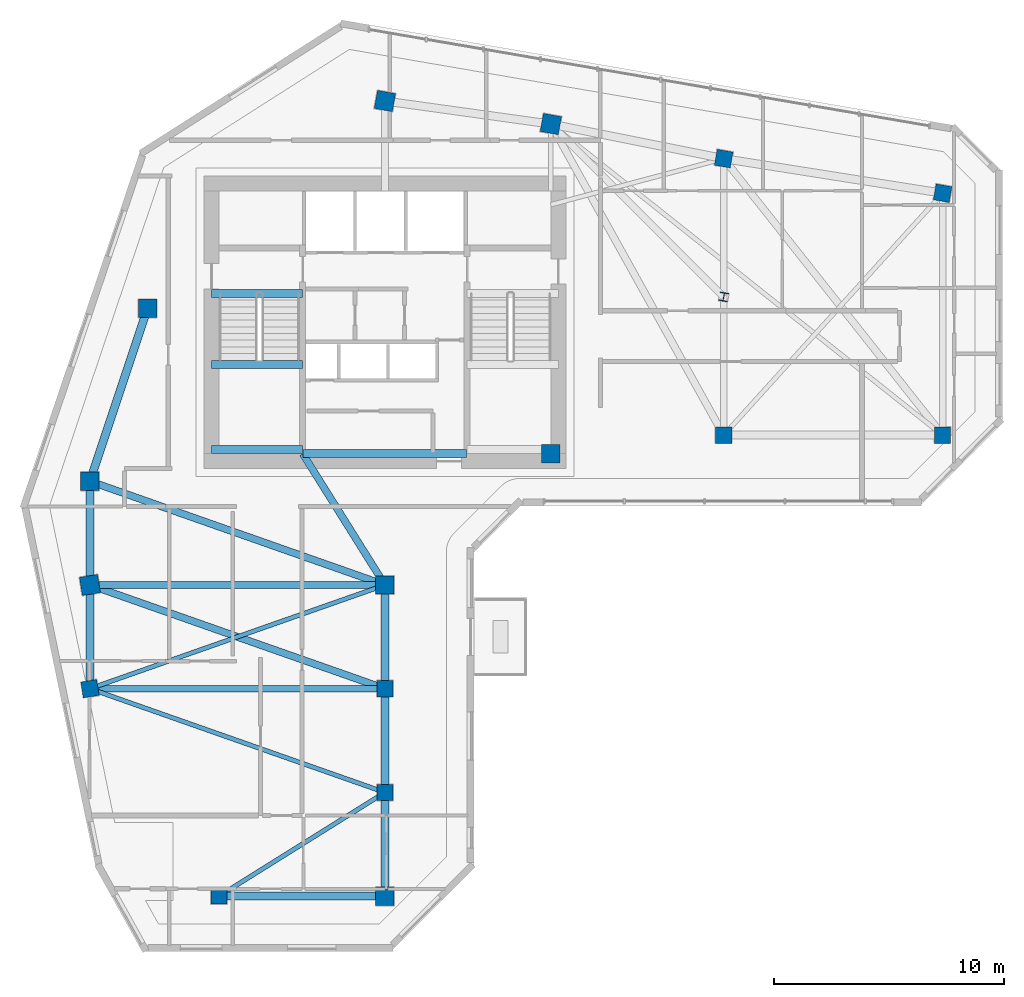
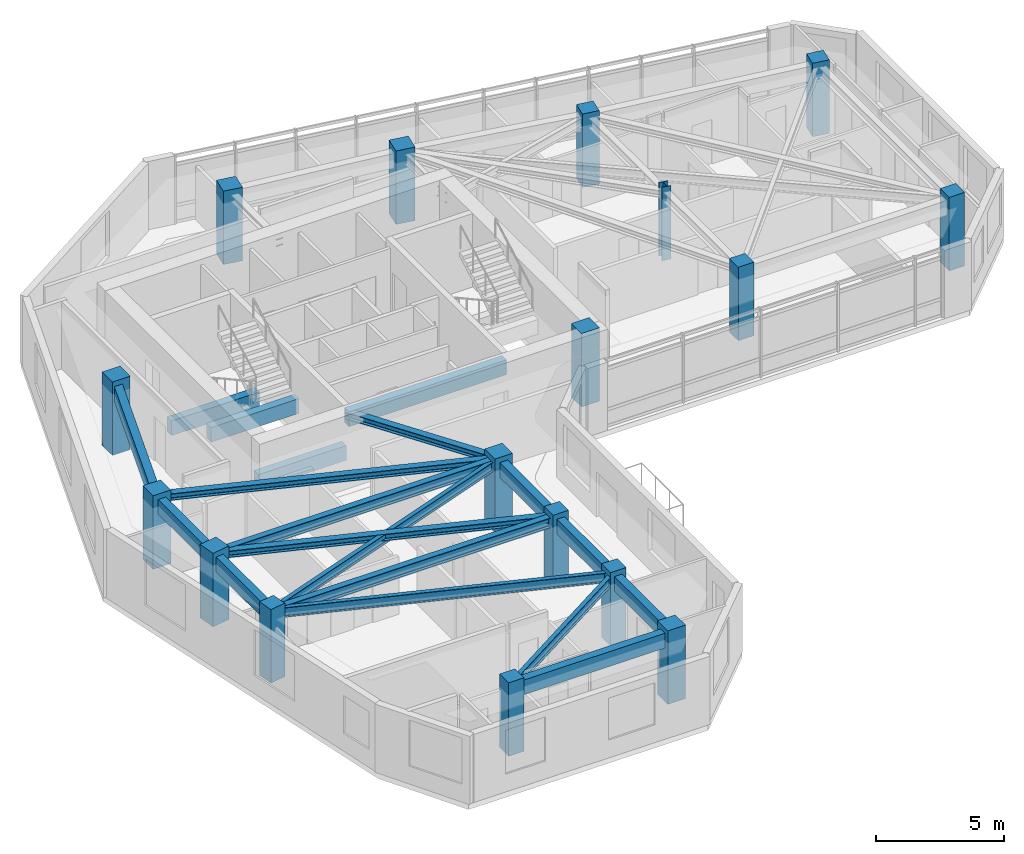
# One storey, part 1 of 10: 19 beams, 17 columns.
"""IFC4 building model written with IfcOpenShell, lengths in metres."""

from ifc_helpers import new_model, si_unit, direction, frame, origin, origin_2d, place, context, subcontext, project, spatial, rectangle, i_section, extrude, source, transform, mapped, material, material_profile, profile_set, type_object, element, save


model = new_model("IFC4")

# Units and contexts
model_context = context("Model", 3, precision=1e-05, world=origin(), true_north=direction((0.0, 1.0)))
body_context = subcontext(model_context, "Body", "Model", "MODEL_VIEW")
ifc_project = project(units=[si_unit("LENGTHUNIT", "METRE"), si_unit("AREAUNIT", "SQUARE_METRE"), si_unit("VOLUMEUNIT", "CUBIC_METRE"), si_unit("PLANEANGLEUNIT", "RADIAN"), si_unit("MASSUNIT", "GRAM", prefix="KILO")], contexts=[model_context])

# Site, building, storey
site_placement = place(None, origin())
site = spatial("IfcSite", under=ifc_project, at=site_placement, CompositionType="ELEMENT")
building_placement = place(site_placement, origin())
building = spatial("IfcBuilding", under=site, at=building_placement, Name="Calvemar Wedge Station Tower", CompositionType="ELEMENT")
storey_placement = place(building_placement, frame((0.0, 0.0, 197.39990234375)))
storey = spatial("IfcBuildingStorey", under=building, at=storey_placement, Name="L49", CompositionType="ELEMENT", Elevation=197.39990234375)

# Columns
ifc_material_1 = material(Name="Concrete C50", Category="concrete")
ifc_material_profile_1 = material_profile(ifc_material_1, rectangle(XDim=0.800048828125, YDim=0.800048828125, at=origin_2d()), Name="RC800x800")
ifc_profile_set_1 = profile_set([ifc_material_profile_1], Name="Concrete C50")
column_type_1 = type_object("IfcColumnType", Name="COL-C6-800", PredefinedType="COLUMN", material=ifc_profile_set_1)
shared_shape_1 = source(origin(), body_context, "Body", "SweptSolid", [
    extrude(rectangle(XDim=0.800048828125, YDim=0.800048828125, at=origin_2d()), origin(), (0.0, 0.0, 1.0), 3.5),
])
for number, where, z_axis, x_axis, name in (
    (1, (11.0, 33.0, 0.0), (0.0, 0.0, 1.0), (1.0, 0.0, 0.0), "Storey L49 Column T-NW1"),
    (2, (13.5, 40.5, 0.0), (0.0, 0.0, 1.0), (1.0, 0.0, 0.0), "Storey L49 Column T-NW2"),
    (3, (23.800048828125, 49.5, 0.0), (0.0, 0.0, 1.0), (0.984195607969, -0.17708474032, 0.0), "Storey L49 Column T-N1"),
    (4, (31.0, 48.5, 0.0), (0.0, 0.0, 1.0), (0.984195607969, -0.17708474032, 0.0), "Storey L49 Column T-N2"),
    (5, (31.0, 34.199951171875, 0.0), (0.0, 0.0, 1.0), (1.0, 0.0, 0.0), "Storey L49 Column T-NL1"),
    (6, (11.0, 28.5, 0.0), (0.0, 0.0, 1.0), (0.158158067254, -0.987413806751, 0.0), "Storey L49 Column T-SW1"),
    (7, (23.800048828125, 28.5, 0.0), (0.0, 0.0, 1.0), (1.0, 0.0, 0.0), "Storey L49 Column T-SE1"),
    (8, (23.800048828125, 15.0, 0.0), (0.0, 0.0, 1.0), (1.0, 0.0, 0.0), "Storey L49 Column T-SE4"),
):
    element("IfcColumn", number, at=place(storey_placement, frame(where, z_axis=z_axis, x_axis=x_axis)), inside=storey, type_object=column_type_1, Name=name, PredefinedType="COLUMN", context=body_context, shape_type="MappedRepresentation", body=[
        mapped(shared_shape_1, transform((0.0, 0.0, 0.0), scale=1.0)),
    ])
ifc_material_profile_2 = material_profile(ifc_material_1, rectangle(XDim=0.699951171875, YDim=0.699951171875, at=origin_2d()), Name="RC700x700")
ifc_profile_set_2 = profile_set([ifc_material_profile_2], Name="Concrete C50")
column_type_2 = type_object("IfcColumnType", Name="COL-C7-700", PredefinedType="COLUMN", material=ifc_profile_set_2)
shared_shape_2 = source(origin(), body_context, "Body", "SweptSolid", [
    extrude(rectangle(XDim=0.699951171875, YDim=0.699951171875, at=origin_2d()), origin(), (0.0, 0.0, 1.0), 3.5),
])
for number, where, z_axis, x_axis, name in (
    (9, (38.5, 47.0, 0.0), (0.0, 0.0, 1.0), (0.984195607969, -0.17708474032, 0.0), "Storey L49 Column T-NU3"),
    (10, (48.0, 45.5, 0.0), (0.0, 0.0, 1.0), (0.984195607969, -0.17708474032, 0.0), "Storey L49 Column T-NU4"),
    (11, (38.5, 35.0, 0.0), (0.0, 0.0, 1.0), (1.0, 0.0, 0.0), "Storey L49 Column T-NL2"),
    (12, (48.0, 35.0, 0.0), (0.0, 0.0, 1.0), (1.0, 0.0, 0.0), "Storey L49 Column T-NL3"),
    (13, (11.0, 24.0, 0.0), (0.0, 0.0, 1.0), (0.158158067254, -0.987413806751, 0.0), "Storey L49 Column T-SW2"),
    (14, (23.800048828125, 24.0, 0.0), (0.0, 0.0, 1.0), (1.0, 0.0, 0.0), "Storey L49 Column T-SE2"),
    (15, (23.800048828125, 19.5, 0.0), (0.0, 0.0, 1.0), (1.0, 0.0, 0.0), "Storey L49 Column T-SE3"),
    (16, (16.60009765625, 15.0, 0.0), (0.0, 0.0, 1.0), (1.0, 0.0, 0.0), "Storey L49 Column T-SM1"),
):
    element("IfcColumn", number, at=place(storey_placement, frame(where, z_axis=z_axis, x_axis=x_axis)), inside=storey, type_object=column_type_2, Name=name, PredefinedType="COLUMN", context=body_context, shape_type="MappedRepresentation", body=[
        mapped(shared_shape_2, transform((0.0, 0.0, 0.0), scale=1.0)),
    ])
ifc_material_2 = material(Name="Structural steel ASTM A572 Grade 50", Category="steel")
ifc_material_profile_3 = material_profile(ifc_material_2, i_section(OverallWidth=0.3740234375, OverallDepth=0.3720703125, WebThickness=0.016357421875, FlangeThickness=0.026123046875, FilletRadius=0.014892578125, at=origin_2d()), Name="W360x196")
ifc_profile_set_3 = profile_set([ifc_material_profile_3], Name="Structural steel ASTM A572 Grade 50")
column_type_3 = type_object("IfcColumnType", Name="COL-STL-W360", PredefinedType="COLUMN", material=ifc_profile_set_3)
shared_shape_3 = source(origin(), body_context, "Body", "SweptSolid", [
    extrude(i_section(OverallWidth=0.3740234375, OverallDepth=0.3720703125, WebThickness=0.016357421875, FlangeThickness=0.026123046875, FilletRadius=0.014892578125, at=origin_2d()), origin(), (0.0, 0.0, 1.0), 3.5),
])
column_placement = place(storey_placement, frame((38.5, 41.0, 0.0), z_axis=(0.0, 0.0, 1.0), x_axis=(0.984195607969, -0.17708474032, 0.0)))
element("IfcColumn", 17, at=column_placement, inside=storey, type_object=column_type_3, Name="Storey L49 Column T-NTIP-B", PredefinedType="COLUMN", context=body_context, shape_type="MappedRepresentation", body=[
    mapped(shared_shape_3, transform((0.0, 0.0, 0.0), scale=1.0)),
])

# Beams
ifc_material_3 = material(Name="Concrete C70", Category="concrete")
ifc_material_profile_4 = material_profile(ifc_material_3, rectangle(XDim=0.35009765625, YDim=0.699951171875, at=origin_2d()), Name="RC350x700")
ifc_profile_set_4 = profile_set([ifc_material_profile_4], Name="Concrete C70")
beam_type_1 = type_object("IfcBeamType", Name="BM-LN1-700", PredefinedType="LINTEL", material=ifc_profile_set_4)
shared_shape_4 = source(origin(), body_context, "Body", "SweptSolid", [
    extrude(rectangle(XDim=0.35009765625, YDim=0.699951171875, at=origin_2d()), origin(), (0.0, 0.0, 1.0), 7.10009765625),
])
beam_1_placement = place(storey_placement, frame((20.25, 34.199951171875, 2.900146484375), z_axis=(1.0, 0.0, 0.0), x_axis=(0.0, 1.0, 0.0)))
element("IfcBeam", 18, at=beam_1_placement, inside=storey, type_object=beam_type_1, Name="Storey L49 Core Coupling Lintel South", PredefinedType="LINTEL", context=body_context, shape_type="MappedRepresentation", body=[
    mapped(shared_shape_4, transform((0.0, 0.0, 0.0), scale=1.0)),
])
ifc_material_profile_5 = material_profile(ifc_material_2, i_section(OverallWidth=0.30908203125, OverallDepth=0.322998046875, WebThickness=0.013916015625, FlangeThickness=0.02294921875, FilletRadius=0.014892578125, at=origin_2d()), Name="W310x143")
ifc_profile_set_5 = profile_set([ifc_material_profile_5], Name="Structural steel ASTM A572 Grade 50")
beam_type_2 = type_object("IfcBeamType", Name="BM-J5-W310H", PredefinedType="JOIST", material=ifc_profile_set_5)
shared_shape_5 = source(origin(), body_context, "Body", "SweptSolid", [
    extrude(i_section(OverallWidth=0.30908203125, OverallDepth=0.322998046875, WebThickness=0.013916015625, FlangeThickness=0.02294921875, FilletRadius=0.014892578125, at=origin_2d()), origin(), (0.0, 0.0, 1.0), 13.568115234375),
])
for number, where, z_axis, x_axis, name in (
    (19, (11.0, 33.0, 3.088623046875), (0.943398221169, -0.331662171939, 0.0), (0.331662171939, 0.943398221169, 0.0), "Storey L49 Floor Beam T-NW1-T-SE1"),
    (20, (11.0, 28.5, 3.088623046875), (0.943398221169, -0.331662171939, 0.0), (0.331662171939, 0.943398221169, 0.0), "Storey L49 Floor Beam T-SW1-T-SE2"),
):
    element("IfcBeam", number, at=place(storey_placement, frame(where, z_axis=z_axis, x_axis=x_axis)), inside=storey, type_object=beam_type_2, Name=name, PredefinedType="JOIST", context=body_context, shape_type="MappedRepresentation", body=[
        mapped(shared_shape_5, transform((0.0, 0.0, 0.0), scale=1.0)),
    ])
ifc_material_profile_6 = material_profile(ifc_material_2, i_section(OverallWidth=0.19189453125, OverallDepth=0.462890625, WebThickness=0.010498046875, FlangeThickness=0.017578125, FilletRadius=0.012939453125, at=origin_2d()), Name="W460x89")
ifc_profile_set_6 = profile_set([ifc_material_profile_6], Name="Structural steel ASTM A572 Grade 50")
beam_type_3 = type_object("IfcBeamType", Name="BM-J1-W460", PredefinedType="JOIST", material=ifc_profile_set_6)
shared_shape_6 = source(origin(), body_context, "Body", "SweptSolid", [
    extrude(i_section(OverallWidth=0.19189453125, OverallDepth=0.462890625, WebThickness=0.010498046875, FlangeThickness=0.017578125, FilletRadius=0.012939453125, at=origin_2d()), origin(), (0.0, 0.0, 1.0), 13.568115234375),
])
for number, where, z_axis, x_axis, name in (
    (21, (23.800048828125, 28.5, 3.0185546875), (-0.943398221169, -0.331662171939, 0.0), (0.331662171939, -0.943398221169, 0.0), "Storey L49 Floor Beam T-SE1-T-SW2"),
    (22, (11.0, 24.0, 3.0185546875), (0.943398221169, -0.331662171939, 0.0), (0.331662171939, 0.943398221169, 0.0), "Storey L49 Floor Beam T-SW2-T-SE3"),
):
    element("IfcBeam", number, at=place(storey_placement, frame(where, z_axis=z_axis, x_axis=x_axis)), inside=storey, type_object=beam_type_3, Name=name, PredefinedType="JOIST", context=body_context, shape_type="MappedRepresentation", body=[
        mapped(shared_shape_6, transform((0.0, 0.0, 0.0), scale=1.0)),
    ])
shared_shape_7 = source(origin(), body_context, "Body", "SweptSolid", [
    extrude(i_section(OverallWidth=0.19189453125, OverallDepth=0.462890625, WebThickness=0.010498046875, FlangeThickness=0.017578125, FilletRadius=0.012939453125, at=origin_2d()), origin(), (0.0, 0.0, 1.0), 8.490478515625),
])
beam_2_placement = place(storey_placement, frame((23.800048828125, 19.5, 3.0185546875), z_axis=(-0.847996688584, -0.530001524668, 0.0), x_axis=(0.530001524668, -0.847996688584, 0.0)))
element("IfcBeam", 23, at=beam_2_placement, inside=storey, type_object=beam_type_3, Name="Storey L49 Floor Beam T-SE3-T-SM1", PredefinedType="JOIST", context=body_context, shape_type="MappedRepresentation", body=[
    mapped(shared_shape_7, transform((0.0, 0.0, 0.0), scale=1.0)),
])
shared_shape_8 = source(origin(), body_context, "Body", "SweptSolid", [
    extrude(i_section(OverallWidth=0.30908203125, OverallDepth=0.322998046875, WebThickness=0.013916015625, FlangeThickness=0.02294921875, FilletRadius=0.014892578125, at=origin_2d()), origin(), (0.0, 0.0, 1.0), 6.7255859375),
])
beam_3_placement = place(storey_placement, frame((20.22998046875, 34.199951171875, 3.088623046875), z_axis=(0.530811158438, -0.847490126242, 0.0), x_axis=(0.847490126242, 0.530811158438, 0.0)))
element("IfcBeam", 24, at=beam_3_placement, inside=storey, type_object=beam_type_2, Name="Storey L49 Core-to-Column Joist CJ-S2", PredefinedType="JOIST", context=body_context, shape_type="MappedRepresentation", body=[
    mapped(shared_shape_8, transform((0.0, 0.0, 0.0), scale=1.0)),
])
shared_shape_9 = source(origin(), body_context, "Body", "SweptSolid", [
    extrude(rectangle(XDim=0.35009765625, YDim=0.699951171875, at=origin_2d()), origin(), (0.0, 0.0, 1.0), 3.955078125),
])
for number, where, z_axis, x_axis, name in (
    (25, (16.27490234375, 41.14990234375, -0.349853515625), (1.0, 0.0, 0.0), (0.0, 1.0, 0.0), "Storey L49 Stair ST-C1 Landing Trimmer Beam"),
    (26, (16.27490234375, 34.3798828125, 1.2001953125), (1.0, 0.0, 0.0), (0.0, 1.0, 0.0), "Storey L49 Stair ST-C1 Half-Landing Beam 1A"),
    (27, (16.27490234375, 38.070068359375, 1.2001953125), (1.0, 0.0, 0.0), (0.0, 1.0, 0.0), "Storey L49 Stair ST-C1 Half-Landing Beam 1B"),
):
    element("IfcBeam", number, at=place(storey_placement, frame(where, z_axis=z_axis, x_axis=x_axis)), inside=storey, type_object=beam_type_1, Name=name, PredefinedType="LINTEL", context=body_context, shape_type="MappedRepresentation", body=[
        mapped(shared_shape_9, transform((0.0, 0.0, 0.0), scale=1.0)),
    ])
ifc_material_profile_7 = material_profile(ifc_material_1, rectangle(XDim=0.35009765625, YDim=0.699951171875, at=origin_2d()), Name="RC350x700")
ifc_profile_set_7 = profile_set([ifc_material_profile_7], Name="Concrete C50")
beam_type_4 = type_object("IfcBeamType", Name="BM-SP2-700", PredefinedType="SPANDREL", material=ifc_profile_set_7)
shared_shape_10 = source(origin(), body_context, "Body", "SweptSolid", [
    extrude(rectangle(XDim=0.35009765625, YDim=0.699951171875, at=origin_2d()), origin(), (0.0, 0.0, 1.0), 7.90576171875),
])
beam_4_placement = place(storey_placement, frame((11.0, 33.0, 2.900146484375), z_axis=(0.316227766017, 0.948683298051, 0.0), x_axis=(-0.948683298051, 0.316227766017, 0.0)))
element("IfcBeam", 28, at=beam_4_placement, inside=storey, type_object=beam_type_4, Name="Storey L49 Spandrel T-NW1-T-NW2", PredefinedType="SPANDREL", context=body_context, shape_type="MappedRepresentation", body=[
    mapped(shared_shape_10, transform((0.0, 0.0, 0.0), scale=1.0)),
])
shared_shape_11 = source(origin(), body_context, "Body", "SweptSolid", [
    extrude(rectangle(XDim=0.35009765625, YDim=0.699951171875, at=origin_2d()), origin(), (0.0, 0.0, 1.0), 4.5),
])
for number, where, z_axis, x_axis, name in (
    (29, (11.0, 33.0, 2.900146484375), (0.0, -1.0, 0.0), (1.0, 0.0, 0.0), "Storey L49 Spandrel T-NW1-T-SW1"),
    (30, (11.0, 28.5, 2.900146484375), (0.0, -1.0, 0.0), (1.0, 0.0, 0.0), "Storey L49 Spandrel T-SW1-T-SW2"),
    (31, (23.800048828125, 28.5, 2.900146484375), (0.0, -1.0, 0.0), (1.0, 0.0, 0.0), "Storey L49 Spandrel T-SE1-T-SE2"),
    (32, (23.800048828125, 24.0, 2.900146484375), (0.0, -1.0, 0.0), (1.0, 0.0, 0.0), "Storey L49 Spandrel T-SE2-T-SE3"),
    (33, (23.800048828125, 19.5, 2.900146484375), (0.0, -1.0, 0.0), (1.0, 0.0, 0.0), "Storey L49 Spandrel T-SE3-T-SE4"),
):
    element("IfcBeam", number, at=place(storey_placement, frame(where, z_axis=z_axis, x_axis=x_axis)), inside=storey, type_object=beam_type_4, Name=name, PredefinedType="SPANDREL", context=body_context, shape_type="MappedRepresentation", body=[
        mapped(shared_shape_11, transform((0.0, 0.0, 0.0), scale=1.0)),
    ])
shared_shape_12 = source(origin(), body_context, "Body", "SweptSolid", [
    extrude(rectangle(XDim=0.35009765625, YDim=0.699951171875, at=origin_2d()), origin(), (0.0, 0.0, 1.0), 7.199951171875),
])
beam_5_placement = place(storey_placement, frame((16.60009765625, 15.0, 2.900146484375), z_axis=(1.0, 0.0, 0.0), x_axis=(0.0, 1.0, 0.0)))
element("IfcBeam", 34, at=beam_5_placement, inside=storey, type_object=beam_type_4, Name="Storey L49 Spandrel T-SM1-T-SE4", PredefinedType="SPANDREL", context=body_context, shape_type="MappedRepresentation", body=[
    mapped(shared_shape_12, transform((0.0, 0.0, 0.0), scale=1.0)),
])
ifc_material_profile_8 = material_profile(ifc_material_2, i_section(OverallWidth=0.283935546875, OverallDepth=0.47607421875, WebThickness=0.014892578125, FlangeThickness=0.02392578125, FilletRadius=0.014892578125, at=origin_2d()), Name="W460x158")
ifc_profile_set_8 = profile_set([ifc_material_profile_8], Name="Structural steel ASTM A572 Grade 50")
beam_type_5 = type_object("IfcBeamType", Name="BM-SB5-W460H", PredefinedType="BEAM", material=ifc_profile_set_8)
shared_shape_13 = source(origin(), body_context, "Body", "SweptSolid", [
    extrude(i_section(OverallWidth=0.283935546875, OverallDepth=0.47607421875, WebThickness=0.014892578125, FlangeThickness=0.02392578125, FilletRadius=0.014892578125, at=origin_2d()), origin(), (0.0, 0.0, 1.0), 12.800048828125),
])
for number, where, z_axis, x_axis, name in (
    (35, (11.0, 28.5, 3.01220703125), (1.0, 0.0, 0.0), (0.0, 1.0, 0.0), "Storey L49 Floor Beam T-SW1-T-SE1"),
    (36, (11.0, 24.0, 3.01220703125), (1.0, 0.0, 0.0), (0.0, 1.0, 0.0), "Storey L49 Floor Beam T-SW2-T-SE2"),
):
    element("IfcBeam", number, at=place(storey_placement, frame(where, z_axis=z_axis, x_axis=x_axis)), inside=storey, type_object=beam_type_5, Name=name, PredefinedType="BEAM", context=body_context, shape_type="MappedRepresentation", body=[
        mapped(shared_shape_13, transform((0.0, 0.0, 0.0), scale=1.0)),
    ])

save(model, "model.ifc")
